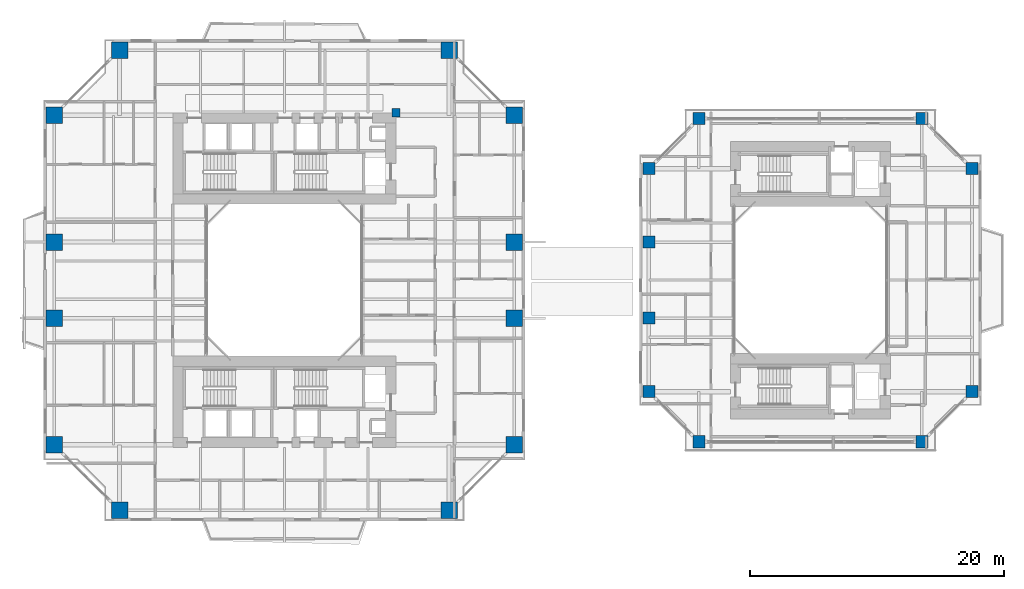
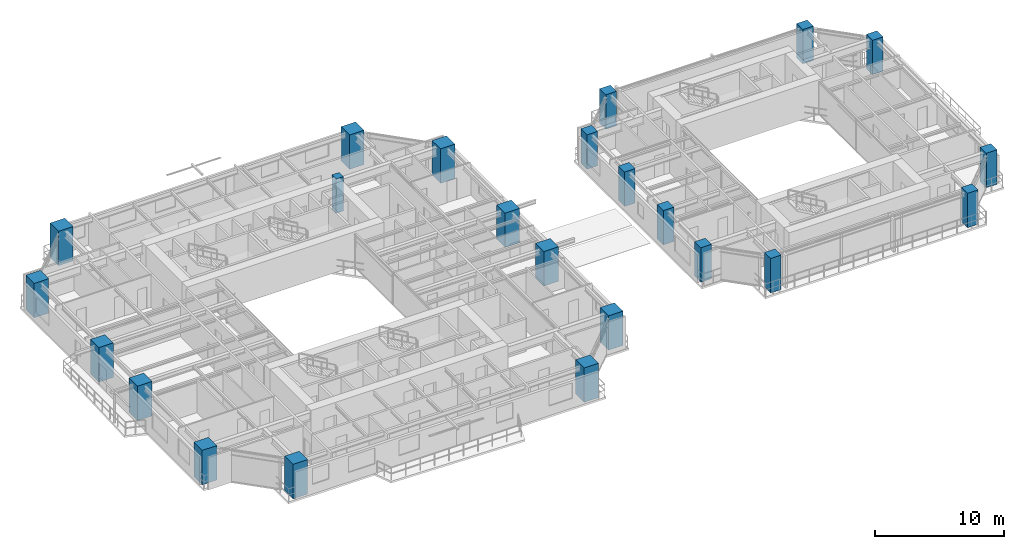
# One storey, part 1 of 23: 23 columns.
"""IFC4 building model written with IfcOpenShell, lengths in metres."""

from ifc_helpers import new_model, si_unit, direction, frame, origin, origin_2d, place, context, subcontext, project, spatial, rectangle, extrude, source, transform, mapped, material, material_profile, profile_set, type_object, element, save


model = new_model("IFC4")

# Units and contexts
model_context = context("Model", 3, precision=1e-05, world=origin(), true_north=direction((0.0, 1.0)))
body_context = subcontext(model_context, "Body", "Model", "MODEL_VIEW")
ifc_project = project(units=[si_unit("LENGTHUNIT", "METRE"), si_unit("AREAUNIT", "SQUARE_METRE"), si_unit("VOLUMEUNIT", "CUBIC_METRE"), si_unit("PLANEANGLEUNIT", "RADIAN"), si_unit("MASSUNIT", "GRAM", prefix="KILO"), si_unit("THERMODYNAMICTEMPERATUREUNIT", "KELVIN"), si_unit("POWERUNIT", "WATT")], contexts=[model_context])

# Site, building, storey
site_placement = place(None, origin())
site = spatial("IfcSite", under=ifc_project, at=site_placement, CompositionType="ELEMENT")
building_placement = place(site_placement, origin())
building = spatial("IfcBuilding", under=site, at=building_placement, Name="Qiaomeng Ring Towers", CompositionType="ELEMENT")
storey_placement = place(building_placement, frame((0.0, 0.0, 50.25)))
storey = spatial("IfcBuildingStorey", under=building, at=storey_placement, Name="L13", CompositionType="ELEMENT", Elevation=50.25)

# Columns
ifc_material_1 = material(Name="Concrete C50", Category="concrete")
ifc_material_profile_1 = material_profile(ifc_material_1, rectangle(XDim=0.64990234375, YDim=0.64990234375, at=origin_2d()), Name="RC COL 650x650")
ifc_profile_set_1 = profile_set([ifc_material_profile_1], Name="Concrete C50")
column_type_1 = type_object("IfcColumnType", Name="STR-PIL-650", PredefinedType="PILASTER", material=ifc_profile_set_1)
shared_shape_1 = source(origin(), body_context, "Body", "SweptSolid", [
    extrude(rectangle(XDim=0.64990234375, YDim=0.64990234375, at=origin_2d()), origin(), (0.0, 0.0, 1.0), 3.25),
])
column_placement = place(storey_placement, frame((27.800048828125, 36.199951171875, 0.0), z_axis=(0.0, 0.0, 1.0), x_axis=(1.0, 0.0, 0.0)))
element("IfcColumn", 1, at=column_placement, inside=storey, type_object=column_type_1, Name="L13 column STR-PIL-L13-N", PredefinedType="PILASTER", context=body_context, shape_type="MappedRepresentation", body=[
    mapped(shared_shape_1, transform((0.0, 0.0, 0.0), x_axis=(1.0, 0.0, 0.0), y_axis=(0.0, 1.0, 0.0), z_axis=(0.0, 0.0, 1.0), scale=1.0)),
])
ifc_material_2 = material(Name="Concrete C60", Category="concrete")
ifc_material_profile_2 = material_profile(ifc_material_2, rectangle(XDim=1.300048828125, YDim=1.300048828125, at=origin_2d()), Name="RC COL 1300x1300")
ifc_profile_set_2 = profile_set([ifc_material_profile_2], Name="Concrete C60")
column_type_2 = type_object("IfcColumnType", Name="STR-COL-1300", PredefinedType="COLUMN", material=ifc_profile_set_2)
shared_shape_2 = source(origin(), body_context, "Body", "SweptSolid", [
    extrude(rectangle(XDim=1.300048828125, YDim=1.300048828125, at=origin_2d()), origin(), (0.0, 0.0, 1.0), 3.25),
])
for number, where, z_axis, x_axis, name in (
    (2, (6.0, 4.85009765625, 0.0), (0.0, 0.0, 1.0), (1.0, 0.0, 0.0), "L13 column STR-COL-L13-T1-S1"),
    (3, (32.0, 4.85009765625, 0.0), (0.0, 0.0, 1.0), (1.0, 0.0, 0.0), "L13 column STR-COL-L13-T1-S2"),
    (4, (37.14990234375, 10.0, 0.0), (0.0, 0.0, 1.0), (1.0, 0.0, 0.0), "L13 column STR-COL-L13-T1-E1"),
    (5, (37.14990234375, 20.0, 0.0), (0.0, 0.0, 1.0), (1.0, 0.0, 0.0), "L13 column STR-COL-L13-T1-E2"),
    (6, (37.14990234375, 26.0, 0.0), (0.0, 0.0, 1.0), (1.0, 0.0, 0.0), "L13 column STR-COL-L13-T1-E3"),
    (7, (37.14990234375, 36.0, 0.0), (0.0, 0.0, 1.0), (1.0, 0.0, 0.0), "L13 column STR-COL-L13-T1-E4"),
    (8, (32.0, 41.14990234375, 0.0), (0.0, 0.0, 1.0), (1.0, 0.0, 0.0), "L13 column STR-COL-L13-T1-N2"),
    (9, (6.0, 41.14990234375, 0.0), (0.0, 0.0, 1.0), (1.0, 0.0, 0.0), "L13 column STR-COL-L13-T1-N1"),
    (10, (0.85009765625, 36.0, 0.0), (0.0, 0.0, 1.0), (1.0, 0.0, 0.0), "L13 column STR-COL-L13-T1-W4"),
    (11, (0.85009765625, 26.0, 0.0), (0.0, 0.0, 1.0), (1.0, 0.0, 0.0), "L13 column STR-COL-L13-T1-W3"),
    (12, (0.85009765625, 20.0, 0.0), (0.0, 0.0, 1.0), (1.0, 0.0, 0.0), "L13 column STR-COL-L13-T1-W2"),
    (13, (0.85009765625, 10.0, 0.0), (0.0, 0.0, 1.0), (1.0, 0.0, 0.0), "L13 column STR-COL-L13-T1-W1"),
):
    element("IfcColumn", number, at=place(storey_placement, frame(where, z_axis=z_axis, x_axis=x_axis)), inside=storey, type_object=column_type_2, Name=name, PredefinedType="COLUMN", context=body_context, shape_type="MappedRepresentation", body=[
        mapped(shared_shape_2, transform((0.0, 0.0, 0.0), x_axis=(1.0, 0.0, 0.0), y_axis=(0.0, 1.0, 0.0), z_axis=(0.0, 0.0, 1.0), scale=1.0)),
    ])
ifc_material_profile_3 = material_profile(ifc_material_2, rectangle(XDim=0.949951171875, YDim=0.949951171875, at=origin_2d()), Name="RC COL 950x950")
ifc_profile_set_3 = profile_set([ifc_material_profile_3], Name="Concrete C60")
column_type_3 = type_object("IfcColumnType", Name="STR-COL-950-C60", PredefinedType="COLUMN", material=ifc_profile_set_3)
shared_shape_3 = source(origin(), body_context, "Body", "SweptSolid", [
    extrude(rectangle(XDim=0.949951171875, YDim=0.949951171875, at=origin_2d()), origin(), (0.0, 0.0, 1.0), 3.25),
])
for number, where, z_axis, x_axis, name in (
    (14, (51.699951171875, 10.25, 0.0), (0.0, 0.0, 1.0), (1.0, 0.0, 0.0), "L13 column STR-COL-L13-T2-S1"),
    (15, (69.300048828125, 10.25, 0.0), (0.0, 0.0, 1.0), (1.0, 0.0, 0.0), "L13 column STR-COL-L13-T2-S2"),
    (16, (73.25, 14.199951171875, 0.0), (0.0, 0.0, 1.0), (1.0, 0.0, 0.0), "L13 column STR-COL-L13-T2-E1"),
    (17, (73.25, 31.800048828125, 0.0), (0.0, 0.0, 1.0), (1.0, 0.0, 0.0), "L13 column STR-COL-L13-T2-E2"),
    (18, (69.300048828125, 35.75, 0.0), (0.0, 0.0, 1.0), (1.0, 0.0, 0.0), "L13 column STR-COL-L13-T2-N2"),
    (19, (51.699951171875, 35.75, 0.0), (0.0, 0.0, 1.0), (1.0, 0.0, 0.0), "L13 column STR-COL-L13-T2-N1"),
    (20, (47.75, 14.199951171875, 0.0), (0.0, 0.0, 1.0), (1.0, 0.0, 0.0), "L13 column STR-COL-L13-T2-W1"),
    (21, (47.75, 20.0, 0.0), (0.0, 0.0, 1.0), (1.0, 0.0, 0.0), "L13 column STR-COL-L13-T2-W2"),
    (22, (47.75, 26.0, 0.0), (0.0, 0.0, 1.0), (1.0, 0.0, 0.0), "L13 column STR-COL-L13-T2-W3"),
    (23, (47.75, 31.800048828125, 0.0), (0.0, 0.0, 1.0), (1.0, 0.0, 0.0), "L13 column STR-COL-L13-T2-W4"),
):
    element("IfcColumn", number, at=place(storey_placement, frame(where, z_axis=z_axis, x_axis=x_axis)), inside=storey, type_object=column_type_3, Name=name, PredefinedType="COLUMN", context=body_context, shape_type="MappedRepresentation", body=[
        mapped(shared_shape_3, transform((0.0, 0.0, 0.0), x_axis=(1.0, 0.0, 0.0), y_axis=(0.0, 1.0, 0.0), z_axis=(0.0, 0.0, 1.0), scale=1.0)),
    ])

save(model, "model.ifc")
